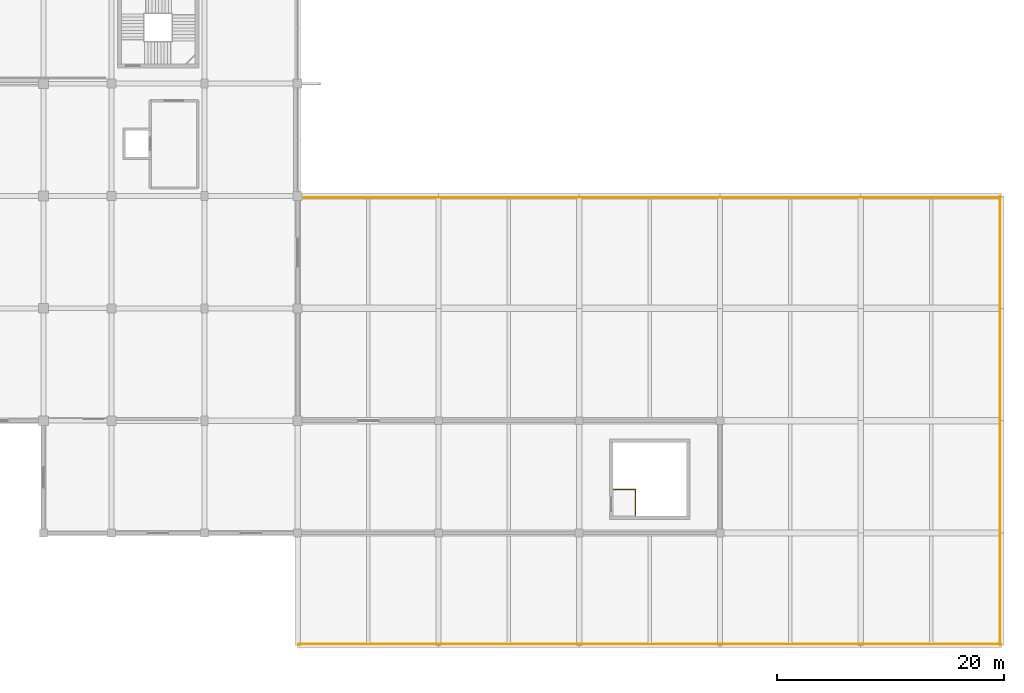
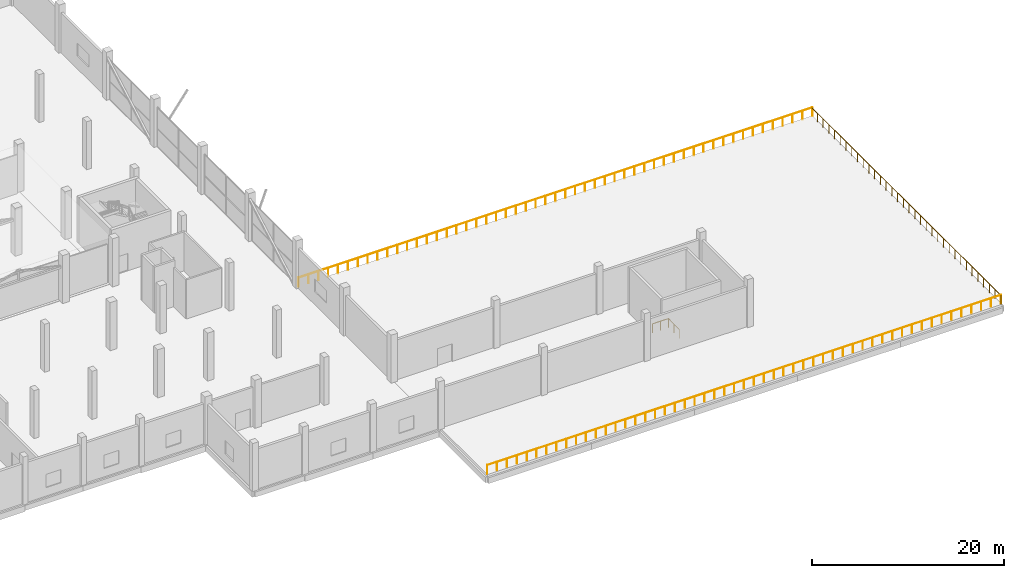
# One storey, part 46 of 46: 4 railings.
"""IFC4 building model written with IfcOpenShell, lengths in metres."""

from ifc_helpers import new_model, si_unit, direction, frame, origin, origin_2d, place, context, subcontext, project, spatial, circle, extrude, material, type_object, element, save


model = new_model("IFC4")

# Units and contexts
model_context = context("Model", 3, precision=1e-05, world=origin(), true_north=direction((0.0, 1.0)))
body_context = subcontext(model_context, "Body", "Model", "MODEL_VIEW")
ifc_project = project(units=[si_unit("LENGTHUNIT", "METRE"), si_unit("AREAUNIT", "SQUARE_METRE"), si_unit("VOLUMEUNIT", "CUBIC_METRE"), si_unit("PLANEANGLEUNIT", "RADIAN"), si_unit("MASSUNIT", "GRAM", prefix="KILO")], contexts=[model_context])

# Site, building, storey
site_placement = place(None, origin())
site = spatial("IfcSite", under=ifc_project, at=site_placement, CompositionType="ELEMENT")
building_placement = place(site_placement, origin())
building = spatial("IfcBuilding", under=site, at=building_placement, Name="Sillaruma Civic Art Gallery", CompositionType="ELEMENT")
storey_placement = place(building_placement, frame((0.0, 0.0, 16.320068359375)))
storey = spatial("IfcBuildingStorey", under=building, at=storey_placement, Name="L03", CompositionType="ELEMENT", Elevation=16.320068359375)

# Railings
ifc_material = material(Name="Stainless Steel AISI 316", Category="steel")
railing_type = type_object("IfcRailingType", Name="RAL-BAL-1150", PredefinedType="BALUSTRADE", material=ifc_material)
railing_1_placement = place(storey_placement, frame((114.4599609375, 0.1201171875, 0.0)))
element("IfcRailing", 1, at=railing_1_placement, inside=storey, type_object=railing_type, Name="Sculpture Terrace Balustrade (SLB-L03-TER-E-1)", PredefinedType="BALUSTRADE", context=body_context, shape_type="SweptSolid", body=[
    extrude(circle(Radius=0.02392578125, at=origin_2d()), frame((0.0, 0.0, 1.1259765625), z_axis=(1.0, 0.0, 0.0), x_axis=(0.0, 1.0, 0.0)), (0.0, 0.0, 1.0), 61.880126953125),
    extrude(circle(Radius=0.02099609375, at=origin_2d()), origin(), (0.0, 0.0, 1.0), 1.101806640625),
    extrude(circle(Radius=0.02099609375, at=origin_2d()), frame((1.18994140625, 0.0, 0.0)), (0.0, 0.0, 1.0), 1.101806640625),
    extrude(circle(Radius=0.02099609375, at=origin_2d()), frame((2.3798828125, 0.0, 0.0)), (0.0, 0.0, 1.0), 1.101806640625),
    extrude(circle(Radius=0.02099609375, at=origin_2d()), frame((3.570068359375, 0.0, 0.0)), (0.0, 0.0, 1.0), 1.101806640625),
    extrude(circle(Radius=0.02099609375, at=origin_2d()), frame((4.760009765625, 0.0, 0.0)), (0.0, 0.0, 1.0), 1.101806640625),
    extrude(circle(Radius=0.02099609375, at=origin_2d()), frame((5.949951171875, 0.0, 0.0)), (0.0, 0.0, 1.0), 1.101806640625),
    extrude(circle(Radius=0.02099609375, at=origin_2d()), frame((7.14013671875, 0.0, 0.0)), (0.0, 0.0, 1.0), 1.101806640625),
    extrude(circle(Radius=0.02099609375, at=origin_2d()), frame((8.330078125, 0.0, 0.0)), (0.0, 0.0, 1.0), 1.101806640625),
    extrude(circle(Radius=0.02099609375, at=origin_2d()), frame((9.52001953125, 0.0, 0.0)), (0.0, 0.0, 1.0), 1.101806640625),
    extrude(circle(Radius=0.02099609375, at=origin_2d()), frame((10.7099609375, 0.0, 0.0)), (0.0, 0.0, 1.0), 1.101806640625),
    extrude(circle(Radius=0.02099609375, at=origin_2d()), frame((11.89990234375, 0.0, 0.0)), (0.0, 0.0, 1.0), 1.101806640625),
    extrude(circle(Radius=0.02099609375, at=origin_2d()), frame((13.090087890625, 0.0, 0.0)), (0.0, 0.0, 1.0), 1.101806640625),
    extrude(circle(Radius=0.02099609375, at=origin_2d()), frame((14.280029296875, 0.0, 0.0)), (0.0, 0.0, 1.0), 1.101806640625),
    extrude(circle(Radius=0.02099609375, at=origin_2d()), frame((15.469970703125, 0.0, 0.0)), (0.0, 0.0, 1.0), 1.101806640625),
    extrude(circle(Radius=0.02099609375, at=origin_2d()), frame((16.66015625, 0.0, 0.0)), (0.0, 0.0, 1.0), 1.101806640625),
    extrude(circle(Radius=0.02099609375, at=origin_2d()), frame((17.85009765625, 0.0, 0.0)), (0.0, 0.0, 1.0), 1.101806640625),
    extrude(circle(Radius=0.02099609375, at=origin_2d()), frame((19.0400390625, 0.0, 0.0)), (0.0, 0.0, 1.0), 1.101806640625),
    extrude(circle(Radius=0.02099609375, at=origin_2d()), frame((20.22998046875, 0.0, 0.0)), (0.0, 0.0, 1.0), 1.101806640625),
    extrude(circle(Radius=0.02099609375, at=origin_2d()), frame((21.419921875, 0.0, 0.0)), (0.0, 0.0, 1.0), 1.101806640625),
    extrude(circle(Radius=0.02099609375, at=origin_2d()), frame((22.610107421875, 0.0, 0.0)), (0.0, 0.0, 1.0), 1.101806640625),
    extrude(circle(Radius=0.02099609375, at=origin_2d()), frame((23.800048828125, 0.0, 0.0)), (0.0, 0.0, 1.0), 1.101806640625),
    extrude(circle(Radius=0.02099609375, at=origin_2d()), frame((24.989990234375, 0.0, 0.0)), (0.0, 0.0, 1.0), 1.101806640625),
    extrude(circle(Radius=0.02099609375, at=origin_2d()), frame((26.18017578125, 0.0, 0.0)), (0.0, 0.0, 1.0), 1.101806640625),
    extrude(circle(Radius=0.02099609375, at=origin_2d()), frame((27.3701171875, 0.0, 0.0)), (0.0, 0.0, 1.0), 1.101806640625),
    extrude(circle(Radius=0.02099609375, at=origin_2d()), frame((28.56005859375, 0.0, 0.0)), (0.0, 0.0, 1.0), 1.101806640625),
    extrude(circle(Radius=0.02099609375, at=origin_2d()), frame((29.75, 0.0, 0.0)), (0.0, 0.0, 1.0), 1.101806640625),
    extrude(circle(Radius=0.02099609375, at=origin_2d()), frame((30.93994140625, 0.0, 0.0)), (0.0, 0.0, 1.0), 1.101806640625),
    extrude(circle(Radius=0.02099609375, at=origin_2d()), frame((32.130126953125, 0.0, 0.0)), (0.0, 0.0, 1.0), 1.101806640625),
    extrude(circle(Radius=0.02099609375, at=origin_2d()), frame((33.320068359375, 0.0, 0.0)), (0.0, 0.0, 1.0), 1.101806640625),
    extrude(circle(Radius=0.02099609375, at=origin_2d()), frame((34.510009765625, 0.0, 0.0)), (0.0, 0.0, 1.0), 1.101806640625),
    extrude(circle(Radius=0.02099609375, at=origin_2d()), frame((35.7001953125, 0.0, 0.0)), (0.0, 0.0, 1.0), 1.101806640625),
    extrude(circle(Radius=0.02099609375, at=origin_2d()), frame((36.89013671875, 0.0, 0.0)), (0.0, 0.0, 1.0), 1.101806640625),
    extrude(circle(Radius=0.02099609375, at=origin_2d()), frame((38.080078125, 0.0, 0.0)), (0.0, 0.0, 1.0), 1.101806640625),
    extrude(circle(Radius=0.02099609375, at=origin_2d()), frame((39.27001953125, 0.0, 0.0)), (0.0, 0.0, 1.0), 1.101806640625),
    extrude(circle(Radius=0.02099609375, at=origin_2d()), frame((40.4599609375, 0.0, 0.0)), (0.0, 0.0, 1.0), 1.101806640625),
    extrude(circle(Radius=0.02099609375, at=origin_2d()), frame((41.650146484375, 0.0, 0.0)), (0.0, 0.0, 1.0), 1.101806640625),
    extrude(circle(Radius=0.02099609375, at=origin_2d()), frame((42.840087890625, 0.0, 0.0)), (0.0, 0.0, 1.0), 1.101806640625),
    extrude(circle(Radius=0.02099609375, at=origin_2d()), frame((44.030029296875, 0.0, 0.0)), (0.0, 0.0, 1.0), 1.101806640625),
    extrude(circle(Radius=0.02099609375, at=origin_2d()), frame((45.22021484375, 0.0, 0.0)), (0.0, 0.0, 1.0), 1.101806640625),
    extrude(circle(Radius=0.02099609375, at=origin_2d()), frame((46.41015625, 0.0, 0.0)), (0.0, 0.0, 1.0), 1.101806640625),
    extrude(circle(Radius=0.02099609375, at=origin_2d()), frame((47.60009765625, 0.0, 0.0)), (0.0, 0.0, 1.0), 1.101806640625),
    extrude(circle(Radius=0.02099609375, at=origin_2d()), frame((48.7900390625, 0.0, 0.0)), (0.0, 0.0, 1.0), 1.101806640625),
    extrude(circle(Radius=0.02099609375, at=origin_2d()), frame((49.97998046875, 0.0, 0.0)), (0.0, 0.0, 1.0), 1.101806640625),
    extrude(circle(Radius=0.02099609375, at=origin_2d()), frame((51.170166015625, 0.0, 0.0)), (0.0, 0.0, 1.0), 1.101806640625),
    extrude(circle(Radius=0.02099609375, at=origin_2d()), frame((52.360107421875, 0.0, 0.0)), (0.0, 0.0, 1.0), 1.101806640625),
    extrude(circle(Radius=0.02099609375, at=origin_2d()), frame((53.550048828125, 0.0, 0.0)), (0.0, 0.0, 1.0), 1.101806640625),
    extrude(circle(Radius=0.02099609375, at=origin_2d()), frame((54.740234375, 0.0, 0.0)), (0.0, 0.0, 1.0), 1.101806640625),
    extrude(circle(Radius=0.02099609375, at=origin_2d()), frame((55.93017578125, 0.0, 0.0)), (0.0, 0.0, 1.0), 1.101806640625),
    extrude(circle(Radius=0.02099609375, at=origin_2d()), frame((57.1201171875, 0.0, 0.0)), (0.0, 0.0, 1.0), 1.101806640625),
    extrude(circle(Radius=0.02099609375, at=origin_2d()), frame((58.31005859375, 0.0, 0.0)), (0.0, 0.0, 1.0), 1.101806640625),
    extrude(circle(Radius=0.02099609375, at=origin_2d()), frame((59.5, 0.0, 0.0)), (0.0, 0.0, 1.0), 1.101806640625),
    extrude(circle(Radius=0.02099609375, at=origin_2d()), frame((60.690185546875, 0.0, 0.0)), (0.0, 0.0, 1.0), 1.101806640625),
    extrude(circle(Radius=0.02099609375, at=origin_2d()), frame((61.880126953125, 0.0, 0.0)), (0.0, 0.0, 1.0), 1.101806640625),
])
railing_2_placement = place(storey_placement, frame((176.280029296875, 0.06005859375, 0.0)))
element("IfcRailing", 2, at=railing_2_placement, inside=storey, type_object=railing_type, Name="Sculpture Terrace Balustrade (SLB-L03-TER-E-2)", PredefinedType="BALUSTRADE", context=body_context, shape_type="SweptSolid", body=[
    extrude(circle(Radius=0.02392578125, at=origin_2d()), frame((0.0, 0.0, 1.1259765625), z_axis=(0.0, 1.0, 0.0), x_axis=(-1.0, 0.0, 0.0)), (0.0, 0.0, 1.0), 39.47998046875),
    extrude(circle(Radius=0.02099609375, at=origin_2d()), origin(), (0.0, 0.0, 1.0), 1.101806640625),
    extrude(circle(Radius=0.02099609375, at=origin_2d()), frame((0.0, 1.1962890625, 0.0)), (0.0, 0.0, 1.0), 1.101806640625),
    extrude(circle(Radius=0.02099609375, at=origin_2d()), frame((0.0, 2.392822265625, 0.0)), (0.0, 0.0, 1.0), 1.101806640625),
    extrude(circle(Radius=0.02099609375, at=origin_2d()), frame((0.0, 3.589111328125, 0.0)), (0.0, 0.0, 1.0), 1.101806640625),
    extrude(circle(Radius=0.02099609375, at=origin_2d()), frame((0.0, 4.785400390625, 0.0)), (0.0, 0.0, 1.0), 1.101806640625),
    extrude(circle(Radius=0.02099609375, at=origin_2d()), frame((0.0, 5.98193359375, 0.0)), (0.0, 0.0, 1.0), 1.101806640625),
    extrude(circle(Radius=0.02099609375, at=origin_2d()), frame((0.0, 7.17822265625, 0.0)), (0.0, 0.0, 1.0), 1.101806640625),
    extrude(circle(Radius=0.02099609375, at=origin_2d()), frame((0.0, 8.37451171875, 0.0)), (0.0, 0.0, 1.0), 1.101806640625),
    extrude(circle(Radius=0.02099609375, at=origin_2d()), frame((0.0, 9.57080078125, 0.0)), (0.0, 0.0, 1.0), 1.101806640625),
    extrude(circle(Radius=0.02099609375, at=origin_2d()), frame((0.0, 10.767333984375, 0.0)), (0.0, 0.0, 1.0), 1.101806640625),
    extrude(circle(Radius=0.02099609375, at=origin_2d()), frame((0.0, 11.963623046875, 0.0)), (0.0, 0.0, 1.0), 1.101806640625),
    extrude(circle(Radius=0.02099609375, at=origin_2d()), frame((0.0, 13.159912109375, 0.0)), (0.0, 0.0, 1.0), 1.101806640625),
    extrude(circle(Radius=0.02099609375, at=origin_2d()), frame((0.0, 14.3564453125, 0.0)), (0.0, 0.0, 1.0), 1.101806640625),
    extrude(circle(Radius=0.02099609375, at=origin_2d()), frame((0.0, 15.552734375, 0.0)), (0.0, 0.0, 1.0), 1.101806640625),
    extrude(circle(Radius=0.02099609375, at=origin_2d()), frame((0.0, 16.7490234375, 0.0)), (0.0, 0.0, 1.0), 1.101806640625),
    extrude(circle(Radius=0.02099609375, at=origin_2d()), frame((0.0, 17.945556640625, 0.0)), (0.0, 0.0, 1.0), 1.101806640625),
    extrude(circle(Radius=0.02099609375, at=origin_2d()), frame((0.0, 19.141845703125, 0.0)), (0.0, 0.0, 1.0), 1.101806640625),
    extrude(circle(Radius=0.02099609375, at=origin_2d()), frame((0.0, 20.338134765625, 0.0)), (0.0, 0.0, 1.0), 1.101806640625),
    extrude(circle(Radius=0.02099609375, at=origin_2d()), frame((0.0, 21.534423828125, 0.0)), (0.0, 0.0, 1.0), 1.101806640625),
    extrude(circle(Radius=0.02099609375, at=origin_2d()), frame((0.0, 22.73095703125, 0.0)), (0.0, 0.0, 1.0), 1.101806640625),
    extrude(circle(Radius=0.02099609375, at=origin_2d()), frame((0.0, 23.92724609375, 0.0)), (0.0, 0.0, 1.0), 1.101806640625),
    extrude(circle(Radius=0.02099609375, at=origin_2d()), frame((0.0, 25.12353515625, 0.0)), (0.0, 0.0, 1.0), 1.101806640625),
    extrude(circle(Radius=0.02099609375, at=origin_2d()), frame((0.0, 26.320068359375, 0.0)), (0.0, 0.0, 1.0), 1.101806640625),
    extrude(circle(Radius=0.02099609375, at=origin_2d()), frame((0.0, 27.516357421875, 0.0)), (0.0, 0.0, 1.0), 1.101806640625),
    extrude(circle(Radius=0.02099609375, at=origin_2d()), frame((0.0, 28.712646484375, 0.0)), (0.0, 0.0, 1.0), 1.101806640625),
    extrude(circle(Radius=0.02099609375, at=origin_2d()), frame((0.0, 29.9091796875, 0.0)), (0.0, 0.0, 1.0), 1.101806640625),
    extrude(circle(Radius=0.02099609375, at=origin_2d()), frame((0.0, 31.10546875, 0.0)), (0.0, 0.0, 1.0), 1.101806640625),
    extrude(circle(Radius=0.02099609375, at=origin_2d()), frame((0.0, 32.3017578125, 0.0)), (0.0, 0.0, 1.0), 1.101806640625),
    extrude(circle(Radius=0.02099609375, at=origin_2d()), frame((0.0, 33.498046875, 0.0)), (0.0, 0.0, 1.0), 1.101806640625),
    extrude(circle(Radius=0.02099609375, at=origin_2d()), frame((0.0, 34.694580078125, 0.0)), (0.0, 0.0, 1.0), 1.101806640625),
    extrude(circle(Radius=0.02099609375, at=origin_2d()), frame((0.0, 35.890869140625, 0.0)), (0.0, 0.0, 1.0), 1.101806640625),
    extrude(circle(Radius=0.02099609375, at=origin_2d()), frame((0.0, 37.087158203125, 0.0)), (0.0, 0.0, 1.0), 1.101806640625),
    extrude(circle(Radius=0.02099609375, at=origin_2d()), frame((0.0, 38.28369140625, 0.0)), (0.0, 0.0, 1.0), 1.101806640625),
    extrude(circle(Radius=0.02099609375, at=origin_2d()), frame((0.0, 39.47998046875, 0.0)), (0.0, 0.0, 1.0), 1.101806640625),
])
railing_3_placement = place(storey_placement, frame((114.4599609375, 39.47998046875, 0.0)))
element("IfcRailing", 3, at=railing_3_placement, inside=storey, type_object=railing_type, Name="Sculpture Terrace Balustrade (SLB-L03-TER-E-3)", PredefinedType="BALUSTRADE", context=body_context, shape_type="SweptSolid", body=[
    extrude(circle(Radius=0.02392578125, at=origin_2d()), frame((0.0, 0.0, 1.1259765625), z_axis=(1.0, 0.0, 0.0), x_axis=(0.0, 1.0, 0.0)), (0.0, 0.0, 1.0), 61.880126953125),
    extrude(circle(Radius=0.02099609375, at=origin_2d()), origin(), (0.0, 0.0, 1.0), 1.101806640625),
    extrude(circle(Radius=0.02099609375, at=origin_2d()), frame((1.18994140625, 0.0, 0.0)), (0.0, 0.0, 1.0), 1.101806640625),
    extrude(circle(Radius=0.02099609375, at=origin_2d()), frame((2.3798828125, 0.0, 0.0)), (0.0, 0.0, 1.0), 1.101806640625),
    extrude(circle(Radius=0.02099609375, at=origin_2d()), frame((3.570068359375, 0.0, 0.0)), (0.0, 0.0, 1.0), 1.101806640625),
    extrude(circle(Radius=0.02099609375, at=origin_2d()), frame((4.760009765625, 0.0, 0.0)), (0.0, 0.0, 1.0), 1.101806640625),
    extrude(circle(Radius=0.02099609375, at=origin_2d()), frame((5.949951171875, 0.0, 0.0)), (0.0, 0.0, 1.0), 1.101806640625),
    extrude(circle(Radius=0.02099609375, at=origin_2d()), frame((7.14013671875, 0.0, 0.0)), (0.0, 0.0, 1.0), 1.101806640625),
    extrude(circle(Radius=0.02099609375, at=origin_2d()), frame((8.330078125, 0.0, 0.0)), (0.0, 0.0, 1.0), 1.101806640625),
    extrude(circle(Radius=0.02099609375, at=origin_2d()), frame((9.52001953125, 0.0, 0.0)), (0.0, 0.0, 1.0), 1.101806640625),
    extrude(circle(Radius=0.02099609375, at=origin_2d()), frame((10.7099609375, 0.0, 0.0)), (0.0, 0.0, 1.0), 1.101806640625),
    extrude(circle(Radius=0.02099609375, at=origin_2d()), frame((11.89990234375, 0.0, 0.0)), (0.0, 0.0, 1.0), 1.101806640625),
    extrude(circle(Radius=0.02099609375, at=origin_2d()), frame((13.090087890625, 0.0, 0.0)), (0.0, 0.0, 1.0), 1.101806640625),
    extrude(circle(Radius=0.02099609375, at=origin_2d()), frame((14.280029296875, 0.0, 0.0)), (0.0, 0.0, 1.0), 1.101806640625),
    extrude(circle(Radius=0.02099609375, at=origin_2d()), frame((15.469970703125, 0.0, 0.0)), (0.0, 0.0, 1.0), 1.101806640625),
    extrude(circle(Radius=0.02099609375, at=origin_2d()), frame((16.66015625, 0.0, 0.0)), (0.0, 0.0, 1.0), 1.101806640625),
    extrude(circle(Radius=0.02099609375, at=origin_2d()), frame((17.85009765625, 0.0, 0.0)), (0.0, 0.0, 1.0), 1.101806640625),
    extrude(circle(Radius=0.02099609375, at=origin_2d()), frame((19.0400390625, 0.0, 0.0)), (0.0, 0.0, 1.0), 1.101806640625),
    extrude(circle(Radius=0.02099609375, at=origin_2d()), frame((20.22998046875, 0.0, 0.0)), (0.0, 0.0, 1.0), 1.101806640625),
    extrude(circle(Radius=0.02099609375, at=origin_2d()), frame((21.419921875, 0.0, 0.0)), (0.0, 0.0, 1.0), 1.101806640625),
    extrude(circle(Radius=0.02099609375, at=origin_2d()), frame((22.610107421875, 0.0, 0.0)), (0.0, 0.0, 1.0), 1.101806640625),
    extrude(circle(Radius=0.02099609375, at=origin_2d()), frame((23.800048828125, 0.0, 0.0)), (0.0, 0.0, 1.0), 1.101806640625),
    extrude(circle(Radius=0.02099609375, at=origin_2d()), frame((24.989990234375, 0.0, 0.0)), (0.0, 0.0, 1.0), 1.101806640625),
    extrude(circle(Radius=0.02099609375, at=origin_2d()), frame((26.18017578125, 0.0, 0.0)), (0.0, 0.0, 1.0), 1.101806640625),
    extrude(circle(Radius=0.02099609375, at=origin_2d()), frame((27.3701171875, 0.0, 0.0)), (0.0, 0.0, 1.0), 1.101806640625),
    extrude(circle(Radius=0.02099609375, at=origin_2d()), frame((28.56005859375, 0.0, 0.0)), (0.0, 0.0, 1.0), 1.101806640625),
    extrude(circle(Radius=0.02099609375, at=origin_2d()), frame((29.75, 0.0, 0.0)), (0.0, 0.0, 1.0), 1.101806640625),
    extrude(circle(Radius=0.02099609375, at=origin_2d()), frame((30.93994140625, 0.0, 0.0)), (0.0, 0.0, 1.0), 1.101806640625),
    extrude(circle(Radius=0.02099609375, at=origin_2d()), frame((32.130126953125, 0.0, 0.0)), (0.0, 0.0, 1.0), 1.101806640625),
    extrude(circle(Radius=0.02099609375, at=origin_2d()), frame((33.320068359375, 0.0, 0.0)), (0.0, 0.0, 1.0), 1.101806640625),
    extrude(circle(Radius=0.02099609375, at=origin_2d()), frame((34.510009765625, 0.0, 0.0)), (0.0, 0.0, 1.0), 1.101806640625),
    extrude(circle(Radius=0.02099609375, at=origin_2d()), frame((35.7001953125, 0.0, 0.0)), (0.0, 0.0, 1.0), 1.101806640625),
    extrude(circle(Radius=0.02099609375, at=origin_2d()), frame((36.89013671875, 0.0, 0.0)), (0.0, 0.0, 1.0), 1.101806640625),
    extrude(circle(Radius=0.02099609375, at=origin_2d()), frame((38.080078125, 0.0, 0.0)), (0.0, 0.0, 1.0), 1.101806640625),
    extrude(circle(Radius=0.02099609375, at=origin_2d()), frame((39.27001953125, 0.0, 0.0)), (0.0, 0.0, 1.0), 1.101806640625),
    extrude(circle(Radius=0.02099609375, at=origin_2d()), frame((40.4599609375, 0.0, 0.0)), (0.0, 0.0, 1.0), 1.101806640625),
    extrude(circle(Radius=0.02099609375, at=origin_2d()), frame((41.650146484375, 0.0, 0.0)), (0.0, 0.0, 1.0), 1.101806640625),
    extrude(circle(Radius=0.02099609375, at=origin_2d()), frame((42.840087890625, 0.0, 0.0)), (0.0, 0.0, 1.0), 1.101806640625),
    extrude(circle(Radius=0.02099609375, at=origin_2d()), frame((44.030029296875, 0.0, 0.0)), (0.0, 0.0, 1.0), 1.101806640625),
    extrude(circle(Radius=0.02099609375, at=origin_2d()), frame((45.22021484375, 0.0, 0.0)), (0.0, 0.0, 1.0), 1.101806640625),
    extrude(circle(Radius=0.02099609375, at=origin_2d()), frame((46.41015625, 0.0, 0.0)), (0.0, 0.0, 1.0), 1.101806640625),
    extrude(circle(Radius=0.02099609375, at=origin_2d()), frame((47.60009765625, 0.0, 0.0)), (0.0, 0.0, 1.0), 1.101806640625),
    extrude(circle(Radius=0.02099609375, at=origin_2d()), frame((48.7900390625, 0.0, 0.0)), (0.0, 0.0, 1.0), 1.101806640625),
    extrude(circle(Radius=0.02099609375, at=origin_2d()), frame((49.97998046875, 0.0, 0.0)), (0.0, 0.0, 1.0), 1.101806640625),
    extrude(circle(Radius=0.02099609375, at=origin_2d()), frame((51.170166015625, 0.0, 0.0)), (0.0, 0.0, 1.0), 1.101806640625),
    extrude(circle(Radius=0.02099609375, at=origin_2d()), frame((52.360107421875, 0.0, 0.0)), (0.0, 0.0, 1.0), 1.101806640625),
    extrude(circle(Radius=0.02099609375, at=origin_2d()), frame((53.550048828125, 0.0, 0.0)), (0.0, 0.0, 1.0), 1.101806640625),
    extrude(circle(Radius=0.02099609375, at=origin_2d()), frame((54.740234375, 0.0, 0.0)), (0.0, 0.0, 1.0), 1.101806640625),
    extrude(circle(Radius=0.02099609375, at=origin_2d()), frame((55.93017578125, 0.0, 0.0)), (0.0, 0.0, 1.0), 1.101806640625),
    extrude(circle(Radius=0.02099609375, at=origin_2d()), frame((57.1201171875, 0.0, 0.0)), (0.0, 0.0, 1.0), 1.101806640625),
    extrude(circle(Radius=0.02099609375, at=origin_2d()), frame((58.31005859375, 0.0, 0.0)), (0.0, 0.0, 1.0), 1.101806640625),
    extrude(circle(Radius=0.02099609375, at=origin_2d()), frame((59.5, 0.0, 0.0)), (0.0, 0.0, 1.0), 1.101806640625),
    extrude(circle(Radius=0.02099609375, at=origin_2d()), frame((60.690185546875, 0.0, 0.0)), (0.0, 0.0, 1.0), 1.101806640625),
    extrude(circle(Radius=0.02099609375, at=origin_2d()), frame((61.880126953125, 0.0, 0.0)), (0.0, 0.0, 1.0), 1.101806640625),
])
railing_4_placement = place(storey_placement, frame((144.139892578125, 11.47998046875, 0.0)))
element("IfcRailing", 4, at=railing_4_placement, inside=storey, type_object=railing_type, Name="Stair Floor Edge Guard (ST-05:L03)", PredefinedType="BALUSTRADE", context=body_context, shape_type="SweptSolid", body=[
    extrude(circle(Radius=0.02392578125, at=origin_2d()), frame((0.0, 0.0, 1.1259765625), z_axis=(0.0, 1.0, 0.0), x_axis=(-1.0, 0.0, 0.0)), (0.0, 0.0, 1.0), 2.27001953125),
    extrude(circle(Radius=0.02392578125, at=origin_2d()), frame((0.0, 2.27001953125, 1.1259765625), z_axis=(-1.0, 0.0, 0.0), x_axis=(0.0, -1.0, 0.0)), (0.0, 0.0, 1.0), 1.89990234375),
    extrude(circle(Radius=0.02099609375, at=origin_2d()), origin(), (0.0, 0.0, 1.0), 1.101806640625),
    extrude(circle(Radius=0.02099609375, at=origin_2d()), frame((0.0, 1.135009765625, 0.0)), (0.0, 0.0, 1.0), 1.101806640625),
    extrude(circle(Radius=0.02099609375, at=origin_2d()), frame((0.0, 2.27001953125, 0.0)), (0.0, 0.0, 1.0), 1.101806640625),
    extrude(circle(Radius=0.02099609375, at=origin_2d()), frame((-0.949951171875, 2.27001953125, 0.0)), (0.0, 0.0, 1.0), 1.101806640625),
    extrude(circle(Radius=0.02099609375, at=origin_2d()), frame((-1.89990234375, 2.27001953125, 0.0)), (0.0, 0.0, 1.0), 1.101806640625),
])

save(model, "model.ifc")
